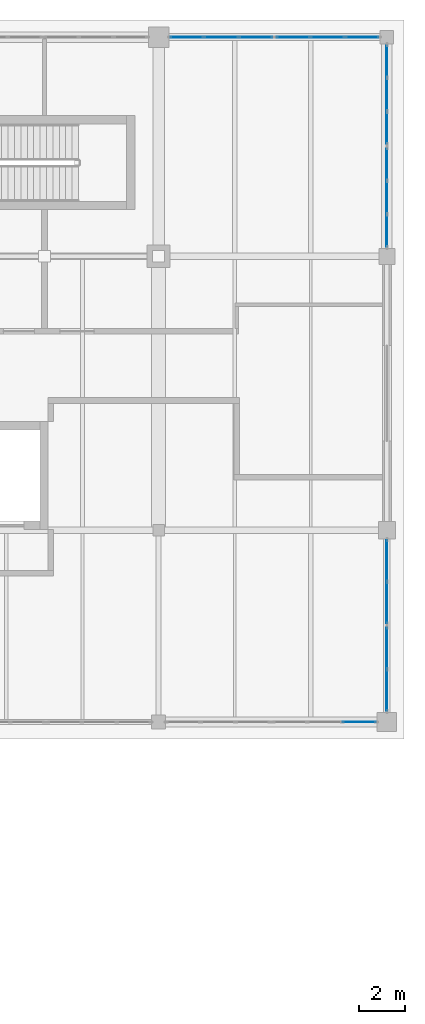
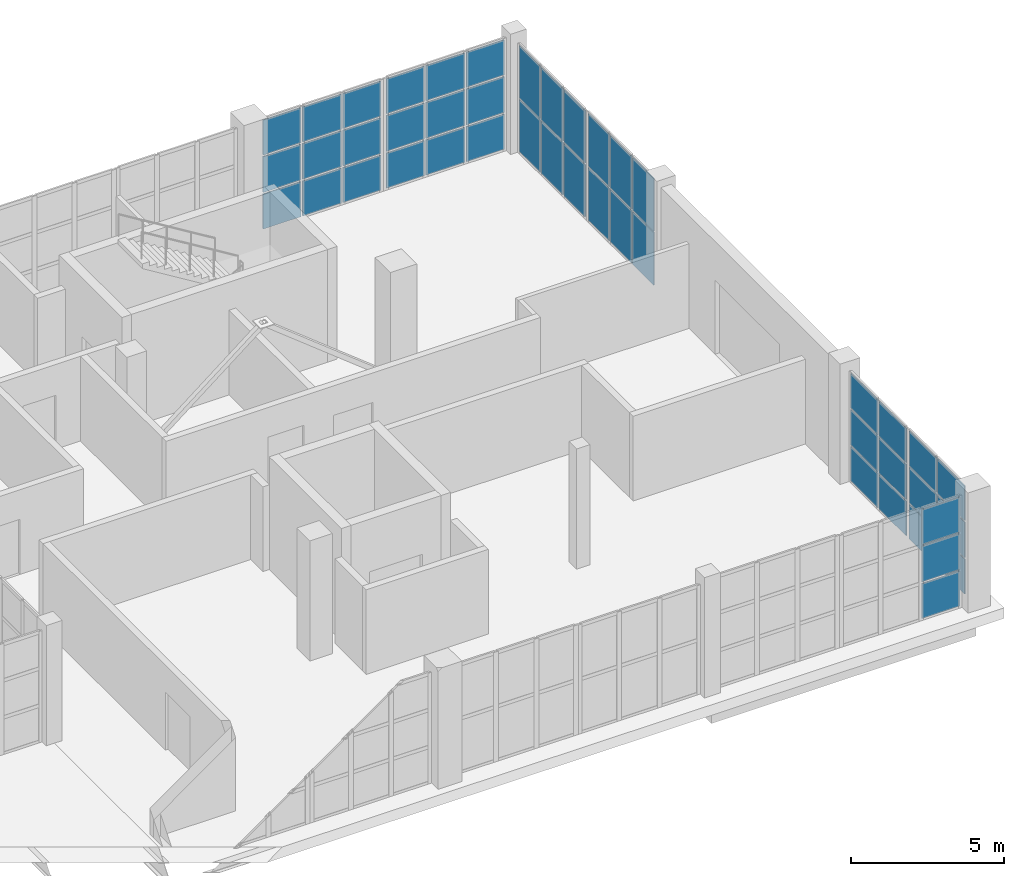
# One storey, part 95 of 121: 45 plates, 7 elements without a shape of their own.
"""IFC4 building model written with IfcOpenShell, lengths in metres."""

from ifc_helpers import new_model, si_unit, direction, frame, origin, origin_2d, place, context, subcontext, project, spatial, rectangle, extrude, material, layer, layer_set, type_object, element, aggregate, save


model = new_model("IFC4")

# Units and contexts
model_context = context("Model", 3, precision=1e-05, world=origin(), true_north=direction((0.0, 1.0)))
body_context = subcontext(model_context, "Body", "Model", "MODEL_VIEW")
ifc_project = project(units=[si_unit("LENGTHUNIT", "METRE"), si_unit("AREAUNIT", "SQUARE_METRE"), si_unit("VOLUMEUNIT", "CUBIC_METRE"), si_unit("PLANEANGLEUNIT", "RADIAN"), si_unit("MASSUNIT", "GRAM", prefix="KILO")], contexts=[model_context])

# Site, building, storey
site_placement = place(None, origin())
site = spatial("IfcSite", under=ifc_project, at=site_placement, CompositionType="ELEMENT")
building_placement = place(site_placement, origin())
building = spatial("IfcBuilding", under=site, at=building_placement, Name="Zereglee Splitstone Museum", CompositionType="ELEMENT")
storey_placement = place(building_placement, origin())
storey = spatial("IfcBuildingStorey", under=building, at=storey_placement, Name="L00", CompositionType="ELEMENT", Elevation=0.0)

# Curtain wall, plates
ifc_material_1 = material(Name="Triple-glazed low-E argon glass and bronze-anodised aluminium", Category="aluminium")
ifc_layer_1 = layer(ifc_material_1, 0.179931640625)
ifc_layer_set_1 = layer_set([ifc_layer_1], Name="Triple-glazed low-E argon glass and bronze-anodised aluminium")
curtain_wall_type_1 = type_object("IfcCurtainWallType", Name="CW-0459-448", PredefinedType="USERDEFINED", material=ifc_layer_set_1)
curtain_wall_1_placement = place(storey_placement, origin())
curtain_wall_1 = element("IfcCurtainWall", 1, at=curtain_wall_1_placement, inside=storey, type_object=curtain_wall_type_1, Name="Glazed Curtain Wall CW-0459-448 (L00)", ObjectType="GLAZED CURTAIN WALL", PredefinedType="USERDEFINED")
ifc_material_2 = material(Name="Triple low-e argon insulated safety glass", Category="glass")
ifc_layer_2 = layer(ifc_material_2, 0.035888671875)
ifc_layer_set_2 = layer_set([ifc_layer_2], Name="Triple low-e argon insulated safety glass")
plate_type = type_object("IfcPlateType", Name="CWP-01", PredefinedType="CURTAIN_PANEL", material=ifc_layer_set_2)
plate_1_placement = place(storey_placement, frame((324.785888671875, 30.0, 0.06494140625), z_axis=(0.0, 0.0, 1.0), x_axis=(1.0, 0.0, 0.0)))
plate_1 = element("IfcPlate", 2, at=plate_1_placement, type_object=plate_type, Name="CW-0459-448 panel 3.1", PredefinedType="CURTAIN_PANEL", context=body_context, shape_type="SweptSolid", body=[
    extrude(rectangle(XDim=1.432373046875, YDim=0.035888671875, at=origin_2d()), origin(), (0.0, 0.0, 1.0), 1.395751953125),
])
plate_2_placement = place(storey_placement, frame((324.785888671875, 30.0, 1.52587890625), z_axis=(0.0, 0.0, 1.0), x_axis=(1.0, 0.0, 0.0)))
plate_2 = element("IfcPlate", 3, at=plate_2_placement, type_object=plate_type, Name="CW-0459-448 panel 3.2", PredefinedType="CURTAIN_PANEL", context=body_context, shape_type="SweptSolid", body=[
    extrude(rectangle(XDim=1.432373046875, YDim=0.035888671875, at=origin_2d()), origin(), (0.0, 0.0, 1.0), 1.428466796875),
])
plate_3_placement = place(storey_placement, frame((324.785888671875, 30.0, 3.01904296875), z_axis=(0.0, 0.0, 1.0), x_axis=(1.0, 0.0, 0.0)))
plate_3 = element("IfcPlate", 4, at=plate_3_placement, type_object=plate_type, Name="CW-0459-448 panel 3.3", PredefinedType="CURTAIN_PANEL", context=body_context, shape_type="SweptSolid", body=[
    extrude(rectangle(XDim=1.432373046875, YDim=0.035888671875, at=origin_2d()), origin(), (0.0, 0.0, 1.0), 1.395751953125),
])
aggregate(curtain_wall_1, [plate_1, plate_2, plate_3])

ifc_layer_3 = layer(ifc_material_1, 0.179931640625)
ifc_layer_set_3 = layer_set([ifc_layer_3], Name="Triple-glazed low-E argon glass and bronze-anodised aluminium")
curtain_wall_type_2 = type_object("IfcCurtainWallType", Name="CW-0375-444", PredefinedType="USERDEFINED", material=ifc_layer_set_3)
curtain_wall_2_placement = place(storey_placement, origin())
curtain_wall_2 = element("IfcCurtainWall", 5, at=curtain_wall_2_placement, inside=storey, type_object=curtain_wall_type_2, Name="Glazed Curtain Wall CW-0375-444 (L00)", ObjectType="GLAZED CURTAIN WALL", PredefinedType="USERDEFINED")
plate_4_placement = place(storey_placement, frame((326.0, 31.38720703125, 0.06494140625), z_axis=(0.0, 0.0, 1.0), x_axis=(0.0, 1.0, 0.0)))
plate_4 = element("IfcPlate", 6, at=plate_4_placement, type_object=plate_type, Name="CW-0375-444 panel 1.1", PredefinedType="CURTAIN_PANEL", context=body_context, shape_type="SweptSolid", body=[
    extrude(rectangle(XDim=1.778564453125, YDim=0.035888671875, at=origin_2d()), origin(), (0.0, 0.0, 1.0), 1.382568359375),
])
plate_5_placement = place(storey_placement, frame((326.0, 31.38720703125, 1.512451171875), z_axis=(0.0, 0.0, 1.0), x_axis=(0.0, 1.0, 0.0)))
plate_5 = element("IfcPlate", 7, at=plate_5_placement, type_object=plate_type, Name="CW-0375-444 panel 1.2", PredefinedType="CURTAIN_PANEL", context=body_context, shape_type="SweptSolid", body=[
    extrude(rectangle(XDim=1.778564453125, YDim=0.035888671875, at=origin_2d()), origin(), (0.0, 0.0, 1.0), 1.4150390625),
])
plate_6_placement = place(storey_placement, frame((326.0, 31.38720703125, 2.99267578125), z_axis=(0.0, 0.0, 1.0), x_axis=(0.0, 1.0, 0.0)))
plate_6 = element("IfcPlate", 8, at=plate_6_placement, type_object=plate_type, Name="CW-0375-444 panel 1.3", PredefinedType="CURTAIN_PANEL", context=body_context, shape_type="SweptSolid", body=[
    extrude(rectangle(XDim=1.778564453125, YDim=0.035888671875, at=origin_2d()), origin(), (0.0, 0.0, 1.0), 1.382568359375),
])
plate_7_placement = place(storey_placement, frame((326.0, 33.230712890625, 0.06494140625), z_axis=(0.0, 0.0, 1.0), x_axis=(0.0, 1.0, 0.0)))
plate_7 = element("IfcPlate", 9, at=plate_7_placement, type_object=plate_type, Name="CW-0375-444 panel 2.1", PredefinedType="CURTAIN_PANEL", context=body_context, shape_type="SweptSolid", body=[
    extrude(rectangle(XDim=1.778564453125, YDim=0.035888671875, at=origin_2d()), origin(), (0.0, 0.0, 1.0), 1.382568359375),
])
plate_8_placement = place(storey_placement, frame((326.0, 33.230712890625, 1.512451171875), z_axis=(0.0, 0.0, 1.0), x_axis=(0.0, 1.0, 0.0)))
plate_8 = element("IfcPlate", 10, at=plate_8_placement, type_object=plate_type, Name="CW-0375-444 panel 2.2", PredefinedType="CURTAIN_PANEL", context=body_context, shape_type="SweptSolid", body=[
    extrude(rectangle(XDim=1.778564453125, YDim=0.035888671875, at=origin_2d()), origin(), (0.0, 0.0, 1.0), 1.4150390625),
])
plate_9_placement = place(storey_placement, frame((326.0, 33.230712890625, 2.99267578125), z_axis=(0.0, 0.0, 1.0), x_axis=(0.0, 1.0, 0.0)))
plate_9 = element("IfcPlate", 11, at=plate_9_placement, type_object=plate_type, Name="CW-0375-444 panel 2.3", PredefinedType="CURTAIN_PANEL", context=body_context, shape_type="SweptSolid", body=[
    extrude(rectangle(XDim=1.778564453125, YDim=0.035888671875, at=origin_2d()), origin(), (0.0, 0.0, 1.0), 1.382568359375),
])
aggregate(curtain_wall_2, [plate_4, plate_5, plate_6, plate_7, plate_8, plate_9])

ifc_layer_4 = layer(ifc_material_1, 0.179931640625)
ifc_layer_set_4 = layer_set([ifc_layer_4], Name="Triple-glazed low-E argon glass and bronze-anodised aluminium")
curtain_wall_type_3 = type_object("IfcCurtainWallType", Name="CW-0375-442", PredefinedType="USERDEFINED", material=ifc_layer_set_4)
curtain_wall_3_placement = place(storey_placement, origin())
curtain_wall_3 = element("IfcCurtainWall", 12, at=curtain_wall_3_placement, inside=storey, type_object=curtain_wall_type_3, Name="Glazed Curtain Wall CW-0375-442 (L00)", ObjectType="GLAZED CURTAIN WALL", PredefinedType="USERDEFINED")
plate_10_placement = place(storey_placement, frame((326.0, 35.21923828125, 0.06494140625), z_axis=(0.0, 0.0, 1.0), x_axis=(0.0, 1.0, 0.0)))
plate_10 = element("IfcPlate", 13, at=plate_10_placement, type_object=plate_type, Name="CW-0375-442 panel 1.1", PredefinedType="CURTAIN_PANEL", context=body_context, shape_type="SweptSolid", body=[
    extrude(rectangle(XDim=1.778564453125, YDim=0.035888671875, at=origin_2d()), origin(), (0.0, 0.0, 1.0), 1.375732421875),
])
plate_11_placement = place(storey_placement, frame((326.0, 35.21923828125, 1.505859375), z_axis=(0.0, 0.0, 1.0), x_axis=(0.0, 1.0, 0.0)))
plate_11 = element("IfcPlate", 14, at=plate_11_placement, type_object=plate_type, Name="CW-0375-442 panel 1.2", PredefinedType="CURTAIN_PANEL", context=body_context, shape_type="SweptSolid", body=[
    extrude(rectangle(XDim=1.778564453125, YDim=0.035888671875, at=origin_2d()), origin(), (0.0, 0.0, 1.0), 1.408447265625),
])
plate_12_placement = place(storey_placement, frame((326.0, 35.21923828125, 2.97900390625), z_axis=(0.0, 0.0, 1.0), x_axis=(0.0, 1.0, 0.0)))
plate_12 = element("IfcPlate", 15, at=plate_12_placement, type_object=plate_type, Name="CW-0375-442 panel 1.3", PredefinedType="CURTAIN_PANEL", context=body_context, shape_type="SweptSolid", body=[
    extrude(rectangle(XDim=1.778564453125, YDim=0.035888671875, at=origin_2d()), origin(), (0.0, 0.0, 1.0), 1.375732421875),
])
plate_13_placement = place(storey_placement, frame((326.0, 37.062744140625, 0.06494140625), z_axis=(0.0, 0.0, 1.0), x_axis=(0.0, 1.0, 0.0)))
plate_13 = element("IfcPlate", 16, at=plate_13_placement, type_object=plate_type, Name="CW-0375-442 panel 2.1", PredefinedType="CURTAIN_PANEL", context=body_context, shape_type="SweptSolid", body=[
    extrude(rectangle(XDim=1.778564453125, YDim=0.035888671875, at=origin_2d()), origin(), (0.0, 0.0, 1.0), 1.375732421875),
])
plate_14_placement = place(storey_placement, frame((326.0, 37.062744140625, 1.505859375), z_axis=(0.0, 0.0, 1.0), x_axis=(0.0, 1.0, 0.0)))
plate_14 = element("IfcPlate", 17, at=plate_14_placement, type_object=plate_type, Name="CW-0375-442 panel 2.2", PredefinedType="CURTAIN_PANEL", context=body_context, shape_type="SweptSolid", body=[
    extrude(rectangle(XDim=1.778564453125, YDim=0.035888671875, at=origin_2d()), origin(), (0.0, 0.0, 1.0), 1.408447265625),
])
plate_15_placement = place(storey_placement, frame((326.0, 37.062744140625, 2.97900390625), z_axis=(0.0, 0.0, 1.0), x_axis=(0.0, 1.0, 0.0)))
plate_15 = element("IfcPlate", 18, at=plate_15_placement, type_object=plate_type, Name="CW-0375-442 panel 2.3", PredefinedType="CURTAIN_PANEL", context=body_context, shape_type="SweptSolid", body=[
    extrude(rectangle(XDim=1.778564453125, YDim=0.035888671875, at=origin_2d()), origin(), (0.0, 0.0, 1.0), 1.375732421875),
])
aggregate(curtain_wall_3, [plate_10, plate_11, plate_12, plate_13, plate_14, plate_15])

ifc_layer_5 = layer(ifc_material_1, 0.179931640625)
ifc_layer_set_5 = layer_set([ifc_layer_5], Name="Triple-glazed low-E argon glass and bronze-anodised aluminium")
curtain_wall_type_4 = type_object("IfcCurtainWallType", Name="CW-0443-438", PredefinedType="USERDEFINED", material=ifc_layer_set_5)
curtain_wall_4_placement = place(storey_placement, origin())
curtain_wall_4 = element("IfcCurtainWall", 19, at=curtain_wall_4_placement, inside=storey, type_object=curtain_wall_type_4, Name="Glazed Curtain Wall CW-0443-438 (L00)", ObjectType="GLAZED CURTAIN WALL", PredefinedType="USERDEFINED")
plate_16_placement = place(storey_placement, frame((326.0, 51.511962890625, 0.06494140625), z_axis=(0.0, 0.0, 1.0), x_axis=(0.0, 1.0, 0.0)))
plate_16 = element("IfcPlate", 20, at=plate_16_placement, type_object=plate_type, Name="CW-0443-438 panel 1.1", PredefinedType="CURTAIN_PANEL", context=body_context, shape_type="SweptSolid", body=[
    extrude(rectangle(XDim=1.378173828125, YDim=0.035888671875, at=origin_2d()), origin(), (0.0, 0.0, 1.0), 2.092529296875),
])
plate_17_placement = place(storey_placement, frame((326.0, 51.511962890625, 2.22265625), z_axis=(0.0, 0.0, 1.0), x_axis=(0.0, 1.0, 0.0)))
plate_17 = element("IfcPlate", 21, at=plate_17_placement, type_object=plate_type, Name="CW-0443-438 panel 1.2", PredefinedType="CURTAIN_PANEL", context=body_context, shape_type="SweptSolid", body=[
    extrude(rectangle(XDim=1.378173828125, YDim=0.035888671875, at=origin_2d()), origin(), (0.0, 0.0, 1.0), 2.092529296875),
])
plate_18_placement = place(storey_placement, frame((326.0, 52.971435546875, 0.06494140625), z_axis=(0.0, 0.0, 1.0), x_axis=(0.0, 1.0, 0.0)))
plate_18 = element("IfcPlate", 22, at=plate_18_placement, type_object=plate_type, Name="CW-0443-438 panel 2.1", PredefinedType="CURTAIN_PANEL", context=body_context, shape_type="SweptSolid", body=[
    extrude(rectangle(XDim=1.41064453125, YDim=0.035888671875, at=origin_2d()), origin(), (0.0, 0.0, 1.0), 2.092529296875),
])
plate_19_placement = place(storey_placement, frame((326.0, 52.971435546875, 2.22265625), z_axis=(0.0, 0.0, 1.0), x_axis=(0.0, 1.0, 0.0)))
plate_19 = element("IfcPlate", 23, at=plate_19_placement, type_object=plate_type, Name="CW-0443-438 panel 2.2", PredefinedType="CURTAIN_PANEL", context=body_context, shape_type="SweptSolid", body=[
    extrude(rectangle(XDim=1.41064453125, YDim=0.035888671875, at=origin_2d()), origin(), (0.0, 0.0, 1.0), 2.092529296875),
])
plate_20_placement = place(storey_placement, frame((326.0, 54.430908203125, 0.06494140625), z_axis=(0.0, 0.0, 1.0), x_axis=(0.0, 1.0, 0.0)))
plate_20 = element("IfcPlate", 24, at=plate_20_placement, type_object=plate_type, Name="CW-0443-438 panel 3.1", PredefinedType="CURTAIN_PANEL", context=body_context, shape_type="SweptSolid", body=[
    extrude(rectangle(XDim=1.378173828125, YDim=0.035888671875, at=origin_2d()), origin(), (0.0, 0.0, 1.0), 2.092529296875),
])
plate_21_placement = place(storey_placement, frame((326.0, 54.430908203125, 2.22265625), z_axis=(0.0, 0.0, 1.0), x_axis=(0.0, 1.0, 0.0)))
plate_21 = element("IfcPlate", 25, at=plate_21_placement, type_object=plate_type, Name="CW-0443-438 panel 3.2", PredefinedType="CURTAIN_PANEL", context=body_context, shape_type="SweptSolid", body=[
    extrude(rectangle(XDim=1.378173828125, YDim=0.035888671875, at=origin_2d()), origin(), (0.0, 0.0, 1.0), 2.092529296875),
])
aggregate(curtain_wall_4, [plate_16, plate_17, plate_18, plate_19, plate_20, plate_21])

ifc_layer_6 = layer(ifc_material_1, 0.179931640625)
ifc_layer_set_6 = layer_set([ifc_layer_6], Name="Triple-glazed low-E argon glass and bronze-anodised aluminium")
curtain_wall_type_5 = type_object("IfcCurtainWallType", Name="CW-0443-436", PredefinedType="USERDEFINED", material=ifc_layer_set_6)
curtain_wall_5_placement = place(storey_placement, origin())
curtain_wall_5 = element("IfcCurtainWall", 26, at=curtain_wall_5_placement, inside=storey, type_object=curtain_wall_type_5, Name="Glazed Curtain Wall CW-0443-436 (L00)", ObjectType="GLAZED CURTAIN WALL", PredefinedType="USERDEFINED")
plate_22_placement = place(storey_placement, frame((326.0, 56.01904296875, 0.06494140625), z_axis=(0.0, 0.0, 1.0), x_axis=(0.0, 1.0, 0.0)))
plate_22 = element("IfcPlate", 27, at=plate_22_placement, type_object=plate_type, Name="CW-0443-436 panel 1.1", PredefinedType="CURTAIN_PANEL", context=body_context, shape_type="SweptSolid", body=[
    extrude(rectangle(XDim=1.378173828125, YDim=0.035888671875, at=origin_2d()), origin(), (0.0, 0.0, 1.0), 2.08251953125),
])
plate_23_placement = place(storey_placement, frame((326.0, 56.01904296875, 2.21240234375), z_axis=(0.0, 0.0, 1.0), x_axis=(0.0, 1.0, 0.0)))
plate_23 = element("IfcPlate", 28, at=plate_23_placement, type_object=plate_type, Name="CW-0443-436 panel 1.2", PredefinedType="CURTAIN_PANEL", context=body_context, shape_type="SweptSolid", body=[
    extrude(rectangle(XDim=1.378173828125, YDim=0.035888671875, at=origin_2d()), origin(), (0.0, 0.0, 1.0), 2.08251953125),
])
plate_24_placement = place(storey_placement, frame((326.0, 57.478515625, 0.06494140625), z_axis=(0.0, 0.0, 1.0), x_axis=(0.0, 1.0, 0.0)))
plate_24 = element("IfcPlate", 29, at=plate_24_placement, type_object=plate_type, Name="CW-0443-436 panel 2.1", PredefinedType="CURTAIN_PANEL", context=body_context, shape_type="SweptSolid", body=[
    extrude(rectangle(XDim=1.41064453125, YDim=0.035888671875, at=origin_2d()), origin(), (0.0, 0.0, 1.0), 2.08251953125),
])
plate_25_placement = place(storey_placement, frame((326.0, 57.478515625, 2.21240234375), z_axis=(0.0, 0.0, 1.0), x_axis=(0.0, 1.0, 0.0)))
plate_25 = element("IfcPlate", 30, at=plate_25_placement, type_object=plate_type, Name="CW-0443-436 panel 2.2", PredefinedType="CURTAIN_PANEL", context=body_context, shape_type="SweptSolid", body=[
    extrude(rectangle(XDim=1.41064453125, YDim=0.035888671875, at=origin_2d()), origin(), (0.0, 0.0, 1.0), 2.08251953125),
])
plate_26_placement = place(storey_placement, frame((326.0, 58.93798828125, 0.06494140625), z_axis=(0.0, 0.0, 1.0), x_axis=(0.0, 1.0, 0.0)))
plate_26 = element("IfcPlate", 31, at=plate_26_placement, type_object=plate_type, Name="CW-0443-436 panel 3.1", PredefinedType="CURTAIN_PANEL", context=body_context, shape_type="SweptSolid", body=[
    extrude(rectangle(XDim=1.378173828125, YDim=0.035888671875, at=origin_2d()), origin(), (0.0, 0.0, 1.0), 2.08251953125),
])
plate_27_placement = place(storey_placement, frame((326.0, 58.93798828125, 2.21240234375), z_axis=(0.0, 0.0, 1.0), x_axis=(0.0, 1.0, 0.0)))
plate_27 = element("IfcPlate", 32, at=plate_27_placement, type_object=plate_type, Name="CW-0443-436 panel 3.2", PredefinedType="CURTAIN_PANEL", context=body_context, shape_type="SweptSolid", body=[
    extrude(rectangle(XDim=1.378173828125, YDim=0.035888671875, at=origin_2d()), origin(), (0.0, 0.0, 1.0), 2.08251953125),
])
aggregate(curtain_wall_5, [plate_22, plate_23, plate_24, plate_25, plate_26, plate_27])

ifc_layer_7 = layer(ifc_material_1, 0.179931640625)
ifc_layer_set_7 = layer_set([ifc_layer_7], Name="Triple-glazed low-E argon glass and bronze-anodised aluminium")
curtain_wall_type_6 = type_object("IfcCurtainWallType", Name="CW-0458-450", PredefinedType="USERDEFINED", material=ifc_layer_set_7)
curtain_wall_6_placement = place(storey_placement, origin())
curtain_wall_6 = element("IfcCurtainWall", 33, at=curtain_wall_6_placement, inside=storey, type_object=curtain_wall_type_6, Name="Glazed Curtain Wall CW-0458-450 (L00)", ObjectType="GLAZED CURTAIN WALL", PredefinedType="USERDEFINED")
plate_28_placement = place(storey_placement, frame((324.912841796875, 60.0, 0.06494140625), z_axis=(0.0, 0.0, 1.0), x_axis=(-1.0, 0.0, 0.0)))
plate_28 = element("IfcPlate", 34, at=plate_28_placement, type_object=plate_type, Name="CW-0458-450 panel 1.1", PredefinedType="CURTAIN_PANEL", context=body_context, shape_type="SweptSolid", body=[
    extrude(rectangle(XDim=1.42822265625, YDim=0.035888671875, at=origin_2d()), origin(), (0.0, 0.0, 1.0), 1.402587890625),
])
plate_29_placement = place(storey_placement, frame((324.912841796875, 60.0, 1.532470703125), z_axis=(0.0, 0.0, 1.0), x_axis=(-1.0, 0.0, 0.0)))
plate_29 = element("IfcPlate", 35, at=plate_29_placement, type_object=plate_type, Name="CW-0458-450 panel 1.2", PredefinedType="CURTAIN_PANEL", context=body_context, shape_type="SweptSolid", body=[
    extrude(rectangle(XDim=1.42822265625, YDim=0.035888671875, at=origin_2d()), origin(), (0.0, 0.0, 1.0), 1.43505859375),
])
plate_30_placement = place(storey_placement, frame((324.912841796875, 60.0, 3.0322265625), z_axis=(0.0, 0.0, 1.0), x_axis=(-1.0, 0.0, 0.0)))
plate_30 = element("IfcPlate", 36, at=plate_30_placement, type_object=plate_type, Name="CW-0458-450 panel 1.3", PredefinedType="CURTAIN_PANEL", context=body_context, shape_type="SweptSolid", body=[
    extrude(rectangle(XDim=1.42822265625, YDim=0.035888671875, at=origin_2d()), origin(), (0.0, 0.0, 1.0), 1.402587890625),
])
plate_31_placement = place(storey_placement, frame((323.403564453125, 60.0, 0.06494140625), z_axis=(0.0, 0.0, 1.0), x_axis=(-1.0, 0.0, 0.0)))
plate_31 = element("IfcPlate", 37, at=plate_31_placement, type_object=plate_type, Name="CW-0458-450 panel 2.1", PredefinedType="CURTAIN_PANEL", context=body_context, shape_type="SweptSolid", body=[
    extrude(rectangle(XDim=1.460693359375, YDim=0.035888671875, at=origin_2d()), origin(), (0.0, 0.0, 1.0), 1.402587890625),
])
plate_32_placement = place(storey_placement, frame((323.403564453125, 60.0, 1.532470703125), z_axis=(0.0, 0.0, 1.0), x_axis=(-1.0, 0.0, 0.0)))
plate_32 = element("IfcPlate", 38, at=plate_32_placement, type_object=plate_type, Name="CW-0458-450 panel 2.2", PredefinedType="CURTAIN_PANEL", context=body_context, shape_type="SweptSolid", body=[
    extrude(rectangle(XDim=1.460693359375, YDim=0.035888671875, at=origin_2d()), origin(), (0.0, 0.0, 1.0), 1.43505859375),
])
plate_33_placement = place(storey_placement, frame((323.403564453125, 60.0, 3.0322265625), z_axis=(0.0, 0.0, 1.0), x_axis=(-1.0, 0.0, 0.0)))
plate_33 = element("IfcPlate", 39, at=plate_33_placement, type_object=plate_type, Name="CW-0458-450 panel 2.3", PredefinedType="CURTAIN_PANEL", context=body_context, shape_type="SweptSolid", body=[
    extrude(rectangle(XDim=1.460693359375, YDim=0.035888671875, at=origin_2d()), origin(), (0.0, 0.0, 1.0), 1.402587890625),
])
plate_34_placement = place(storey_placement, frame((321.89404296875, 60.0, 0.06494140625), z_axis=(0.0, 0.0, 1.0), x_axis=(-1.0, 0.0, 0.0)))
plate_34 = element("IfcPlate", 40, at=plate_34_placement, type_object=plate_type, Name="CW-0458-450 panel 3.1", PredefinedType="CURTAIN_PANEL", context=body_context, shape_type="SweptSolid", body=[
    extrude(rectangle(XDim=1.42822265625, YDim=0.035888671875, at=origin_2d()), origin(), (0.0, 0.0, 1.0), 1.402587890625),
])
plate_35_placement = place(storey_placement, frame((321.89404296875, 60.0, 1.532470703125), z_axis=(0.0, 0.0, 1.0), x_axis=(-1.0, 0.0, 0.0)))
plate_35 = element("IfcPlate", 41, at=plate_35_placement, type_object=plate_type, Name="CW-0458-450 panel 3.2", PredefinedType="CURTAIN_PANEL", context=body_context, shape_type="SweptSolid", body=[
    extrude(rectangle(XDim=1.42822265625, YDim=0.035888671875, at=origin_2d()), origin(), (0.0, 0.0, 1.0), 1.43505859375),
])
plate_36_placement = place(storey_placement, frame((321.89404296875, 60.0, 3.0322265625), z_axis=(0.0, 0.0, 1.0), x_axis=(-1.0, 0.0, 0.0)))
plate_36 = element("IfcPlate", 42, at=plate_36_placement, type_object=plate_type, Name="CW-0458-450 panel 3.3", PredefinedType="CURTAIN_PANEL", context=body_context, shape_type="SweptSolid", body=[
    extrude(rectangle(XDim=1.42822265625, YDim=0.035888671875, at=origin_2d()), origin(), (0.0, 0.0, 1.0), 1.402587890625),
])
aggregate(curtain_wall_6, [plate_28, plate_29, plate_30, plate_31, plate_32, plate_33, plate_34, plate_35, plate_36])

ifc_layer_8 = layer(ifc_material_1, 0.179931640625)
ifc_layer_set_8 = layer_set([ifc_layer_8], Name="Triple-glazed low-E argon glass and bronze-anodised aluminium")
curtain_wall_type_7 = type_object("IfcCurtainWallType", Name="CW-0458-448", PredefinedType="USERDEFINED", material=ifc_layer_set_8)
curtain_wall_7_placement = place(storey_placement, origin())
curtain_wall_7 = element("IfcCurtainWall", 43, at=curtain_wall_7_placement, inside=storey, type_object=curtain_wall_type_7, Name="Glazed Curtain Wall CW-0458-448 (L00)", ObjectType="GLAZED CURTAIN WALL", PredefinedType="USERDEFINED")
plate_37_placement = place(storey_placement, frame((320.255859375, 60.0, 0.06494140625), z_axis=(0.0, 0.0, 1.0), x_axis=(-1.0, 0.0, 0.0)))
plate_37 = element("IfcPlate", 44, at=plate_37_placement, type_object=plate_type, Name="CW-0458-448 panel 1.1", PredefinedType="CURTAIN_PANEL", context=body_context, shape_type="SweptSolid", body=[
    extrude(rectangle(XDim=1.42822265625, YDim=0.035888671875, at=origin_2d()), origin(), (0.0, 0.0, 1.0), 1.395751953125),
])
plate_38_placement = place(storey_placement, frame((320.255859375, 60.0, 1.52587890625), z_axis=(0.0, 0.0, 1.0), x_axis=(-1.0, 0.0, 0.0)))
plate_38 = element("IfcPlate", 45, at=plate_38_placement, type_object=plate_type, Name="CW-0458-448 panel 1.2", PredefinedType="CURTAIN_PANEL", context=body_context, shape_type="SweptSolid", body=[
    extrude(rectangle(XDim=1.42822265625, YDim=0.035888671875, at=origin_2d()), origin(), (0.0, 0.0, 1.0), 1.428466796875),
])
plate_39_placement = place(storey_placement, frame((320.255859375, 60.0, 3.01904296875), z_axis=(0.0, 0.0, 1.0), x_axis=(-1.0, 0.0, 0.0)))
plate_39 = element("IfcPlate", 46, at=plate_39_placement, type_object=plate_type, Name="CW-0458-448 panel 1.3", PredefinedType="CURTAIN_PANEL", context=body_context, shape_type="SweptSolid", body=[
    extrude(rectangle(XDim=1.42822265625, YDim=0.035888671875, at=origin_2d()), origin(), (0.0, 0.0, 1.0), 1.395751953125),
])
plate_40_placement = place(storey_placement, frame((318.74658203125, 60.0, 0.06494140625), z_axis=(0.0, 0.0, 1.0), x_axis=(-1.0, 0.0, 0.0)))
plate_40 = element("IfcPlate", 47, at=plate_40_placement, type_object=plate_type, Name="CW-0458-448 panel 2.1", PredefinedType="CURTAIN_PANEL", context=body_context, shape_type="SweptSolid", body=[
    extrude(rectangle(XDim=1.460693359375, YDim=0.035888671875, at=origin_2d()), origin(), (0.0, 0.0, 1.0), 1.395751953125),
])
plate_41_placement = place(storey_placement, frame((318.74658203125, 60.0, 1.52587890625), z_axis=(0.0, 0.0, 1.0), x_axis=(-1.0, 0.0, 0.0)))
plate_41 = element("IfcPlate", 48, at=plate_41_placement, type_object=plate_type, Name="CW-0458-448 panel 2.2", PredefinedType="CURTAIN_PANEL", context=body_context, shape_type="SweptSolid", body=[
    extrude(rectangle(XDim=1.460693359375, YDim=0.035888671875, at=origin_2d()), origin(), (0.0, 0.0, 1.0), 1.428466796875),
])
plate_42_placement = place(storey_placement, frame((318.74658203125, 60.0, 3.01904296875), z_axis=(0.0, 0.0, 1.0), x_axis=(-1.0, 0.0, 0.0)))
plate_42 = element("IfcPlate", 49, at=plate_42_placement, type_object=plate_type, Name="CW-0458-448 panel 2.3", PredefinedType="CURTAIN_PANEL", context=body_context, shape_type="SweptSolid", body=[
    extrude(rectangle(XDim=1.460693359375, YDim=0.035888671875, at=origin_2d()), origin(), (0.0, 0.0, 1.0), 1.395751953125),
])
plate_43_placement = place(storey_placement, frame((317.237060546875, 60.0, 0.06494140625), z_axis=(0.0, 0.0, 1.0), x_axis=(-1.0, 0.0, 0.0)))
plate_43 = element("IfcPlate", 50, at=plate_43_placement, type_object=plate_type, Name="CW-0458-448 panel 3.1", PredefinedType="CURTAIN_PANEL", context=body_context, shape_type="SweptSolid", body=[
    extrude(rectangle(XDim=1.42822265625, YDim=0.035888671875, at=origin_2d()), origin(), (0.0, 0.0, 1.0), 1.395751953125),
])
plate_44_placement = place(storey_placement, frame((317.237060546875, 60.0, 1.52587890625), z_axis=(0.0, 0.0, 1.0), x_axis=(-1.0, 0.0, 0.0)))
plate_44 = element("IfcPlate", 51, at=plate_44_placement, type_object=plate_type, Name="CW-0458-448 panel 3.2", PredefinedType="CURTAIN_PANEL", context=body_context, shape_type="SweptSolid", body=[
    extrude(rectangle(XDim=1.42822265625, YDim=0.035888671875, at=origin_2d()), origin(), (0.0, 0.0, 1.0), 1.428466796875),
])
plate_45_placement = place(storey_placement, frame((317.237060546875, 60.0, 3.01904296875), z_axis=(0.0, 0.0, 1.0), x_axis=(-1.0, 0.0, 0.0)))
plate_45 = element("IfcPlate", 52, at=plate_45_placement, type_object=plate_type, Name="CW-0458-448 panel 3.3", PredefinedType="CURTAIN_PANEL", context=body_context, shape_type="SweptSolid", body=[
    extrude(rectangle(XDim=1.42822265625, YDim=0.035888671875, at=origin_2d()), origin(), (0.0, 0.0, 1.0), 1.395751953125),
])
aggregate(curtain_wall_7, [plate_37, plate_38, plate_39, plate_40, plate_41, plate_42, plate_43, plate_44, plate_45])

save(model, "model.ifc")
